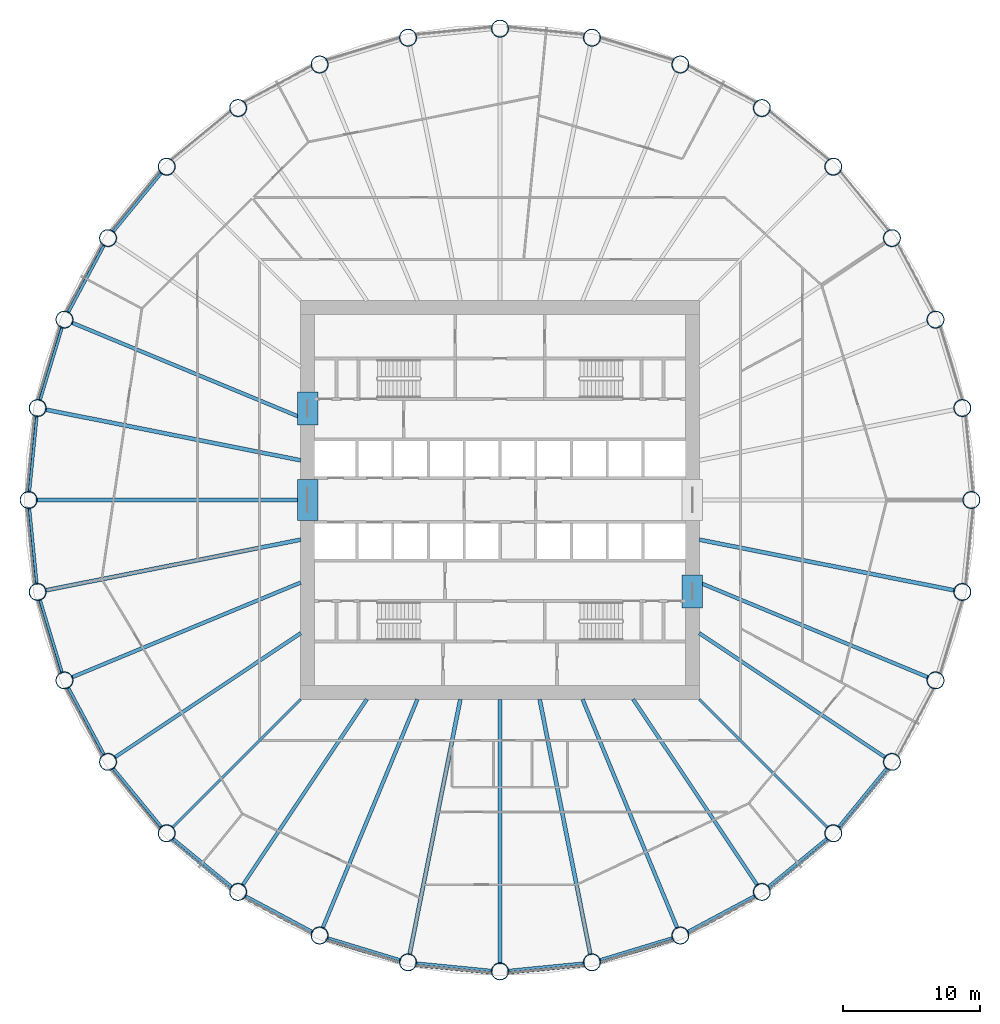
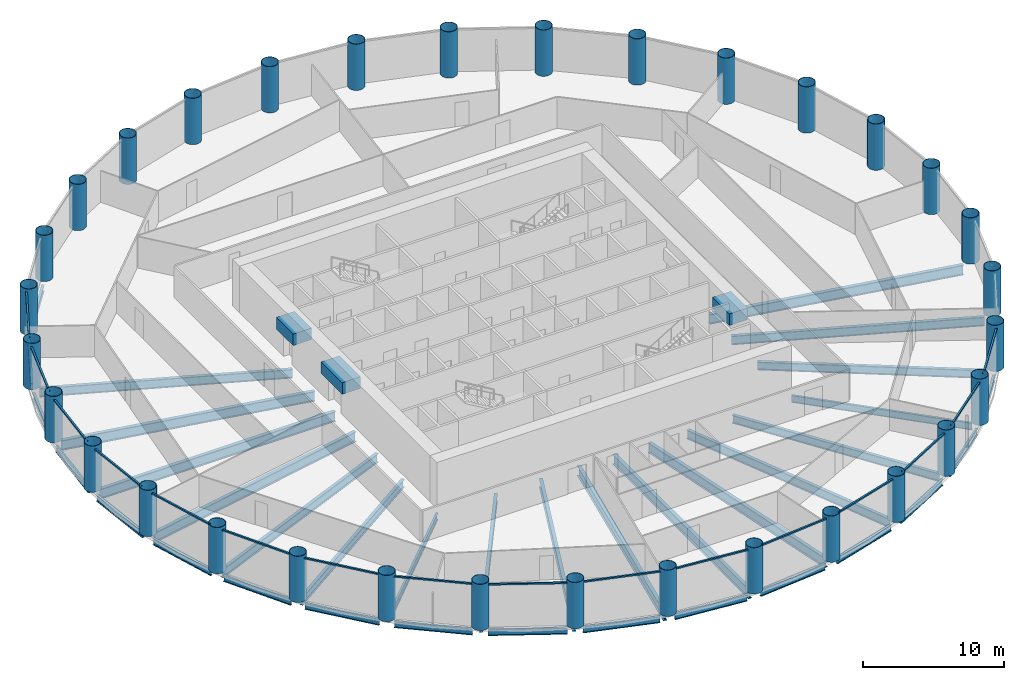
# One storey, part 1 of 8: 38 beams, 32 columns, 16 members, 16 elements without a shape of their own.
"""IFC4 building model written with IfcOpenShell, lengths in metres."""

from ifc_helpers import new_model, si_unit, direction, frame, origin, origin_2d, place, context, subcontext, project, spatial, rectangle, hollow_circle, i_section, extrude, material, material_profile, profile_set, type_object, element, aggregate, save


model = new_model("IFC4")

# Units and contexts
model_context = context("Model", 3, precision=1e-05, world=origin(), true_north=direction((0.0, 1.0)))
body_context = subcontext(model_context, "Body", "Model", "MODEL_VIEW")
ifc_project = project(units=[si_unit("LENGTHUNIT", "METRE"), si_unit("AREAUNIT", "SQUARE_METRE"), si_unit("VOLUMEUNIT", "CUBIC_METRE"), si_unit("PLANEANGLEUNIT", "RADIAN"), si_unit("MASSUNIT", "GRAM", prefix="KILO")], contexts=[model_context])

# Site, building, storey
site_placement = place(None, origin())
site = spatial("IfcSite", under=ifc_project, at=site_placement, CompositionType="ELEMENT")
building_placement = place(site_placement, origin())
building = spatial("IfcBuilding", under=site, at=building_placement, Name="Corvane Civic Tower", CompositionType="ELEMENT")
storey_placement = place(building_placement, frame((0.0, 0.0, 126.5)))
storey = spatial("IfcBuildingStorey", under=building, at=storey_placement, Name="L29", CompositionType="ELEMENT", Elevation=126.5)

# Columns
ifc_material_1 = material(Name="Steel ASTM A572 Gr 50", Category="steel")
ifc_material_profile_1 = material_profile(ifc_material_1, hollow_circle(Radius=0.625, WallThickness=0.035888671875, at=origin_2d()), Name="CHS1250X36")
ifc_profile_set_1 = profile_set([ifc_material_profile_1], Name="Steel ASTM A572 Gr 50")
column_type = type_object("IfcColumnType", Name="COMPOSITE COLUMN CHS1250X36", PredefinedType="COLUMN", material=ifc_profile_set_1)
for number, where, z_axis, x_axis, name in (
    (1, (0.0, 34.300048828125, 0.0), (0.0, 0.0, 1.0), (1.0, 0.0, 0.0), "COL-L29-B01"),
    (2, (6.691650390625, 33.640869140625, 0.0), (0.0, 0.0, 1.0), (1.0, 0.0, 0.0), "COL-L29-B02"),
    (3, (13.1259765625, 31.68896484375, 0.0), (0.0, 0.0, 1.0), (1.0, 0.0, 0.0), "COL-L29-B03"),
    (4, (19.05615234375, 28.519287109375, 0.0), (0.0, 0.0, 1.0), (1.0, 0.0, 0.0), "COL-L29-B04"),
    (5, (24.253662109375, 24.253662109375, 0.0), (0.0, 0.0, 1.0), (1.0, 0.0, 0.0), "COL-L29-B05"),
    (6, (28.519287109375, 19.05615234375, 0.0), (0.0, 0.0, 1.0), (1.0, 0.0, 0.0), "COL-L29-B06"),
    (7, (31.68896484375, 13.1259765625, 0.0), (0.0, 0.0, 1.0), (1.0, 0.0, 0.0), "COL-L29-B07"),
    (8, (33.640869140625, 6.691650390625, 0.0), (0.0, 0.0, 1.0), (1.0, 0.0, 0.0), "COL-L29-B08"),
    (9, (34.300048828125, 0.0, 0.0), (0.0, 0.0, 1.0), (1.0, 0.0, 0.0), "COL-L29-B09"),
    (10, (33.640869140625, -6.691650390625, 0.0), (0.0, 0.0, 1.0), (1.0, 0.0, 0.0), "COL-L29-B10"),
    (11, (31.68896484375, -13.1259765625, 0.0), (0.0, 0.0, 1.0), (1.0, 0.0, 0.0), "COL-L29-B11"),
    (12, (28.519287109375, -19.05615234375, 0.0), (0.0, 0.0, 1.0), (1.0, 0.0, 0.0), "COL-L29-B12"),
    (13, (24.253662109375, -24.253662109375, 0.0), (0.0, 0.0, 1.0), (1.0, 0.0, 0.0), "COL-L29-B13"),
    (14, (19.05615234375, -28.519287109375, 0.0), (0.0, 0.0, 1.0), (1.0, 0.0, 0.0), "COL-L29-B14"),
    (15, (13.1259765625, -31.68896484375, 0.0), (0.0, 0.0, 1.0), (1.0, 0.0, 0.0), "COL-L29-B15"),
    (16, (6.691650390625, -33.640869140625, 0.0), (0.0, 0.0, 1.0), (1.0, 0.0, 0.0), "COL-L29-B16"),
    (17, (0.0, -34.300048828125, 0.0), (0.0, 0.0, 1.0), (1.0, 0.0, 0.0), "COL-L29-B17"),
    (18, (-6.691650390625, -33.640869140625, 0.0), (0.0, 0.0, 1.0), (1.0, 0.0, 0.0), "COL-L29-B18"),
    (19, (-13.1259765625, -31.68896484375, 0.0), (0.0, 0.0, 1.0), (1.0, 0.0, 0.0), "COL-L29-B19"),
    (20, (-19.05615234375, -28.519287109375, 0.0), (0.0, 0.0, 1.0), (1.0, 0.0, 0.0), "COL-L29-B20"),
    (21, (-24.253662109375, -24.253662109375, 0.0), (0.0, 0.0, 1.0), (1.0, 0.0, 0.0), "COL-L29-B21"),
    (22, (-28.519287109375, -19.05615234375, 0.0), (0.0, 0.0, 1.0), (1.0, 0.0, 0.0), "COL-L29-B22"),
    (23, (-31.68896484375, -13.1259765625, 0.0), (0.0, 0.0, 1.0), (1.0, 0.0, 0.0), "COL-L29-B23"),
    (24, (-33.640869140625, -6.691650390625, 0.0), (0.0, 0.0, 1.0), (1.0, 0.0, 0.0), "COL-L29-B24"),
    (25, (-34.300048828125, 0.0, 0.0), (0.0, 0.0, 1.0), (1.0, 0.0, 0.0), "COL-L29-B25"),
    (26, (-33.640869140625, 6.691650390625, 0.0), (0.0, 0.0, 1.0), (1.0, 0.0, 0.0), "COL-L29-B26"),
    (27, (-31.68896484375, 13.1259765625, 0.0), (0.0, 0.0, 1.0), (1.0, 0.0, 0.0), "COL-L29-B27"),
    (28, (-28.519287109375, 19.05615234375, 0.0), (0.0, 0.0, 1.0), (1.0, 0.0, 0.0), "COL-L29-B28"),
    (29, (-24.253662109375, 24.253662109375, 0.0), (0.0, 0.0, 1.0), (1.0, 0.0, 0.0), "COL-L29-B29"),
    (30, (-19.05615234375, 28.519287109375, 0.0), (0.0, 0.0, 1.0), (1.0, 0.0, 0.0), "COL-L29-B30"),
    (31, (-13.1259765625, 31.68896484375, 0.0), (0.0, 0.0, 1.0), (1.0, 0.0, 0.0), "COL-L29-B31"),
    (32, (-6.691650390625, 33.640869140625, 0.0), (0.0, 0.0, 1.0), (1.0, 0.0, 0.0), "COL-L29-B32"),
):
    element("IfcColumn", number, at=place(storey_placement, frame(where, z_axis=z_axis, x_axis=x_axis)), inside=storey, type_object=column_type, Name=name, PredefinedType="COLUMN", context=body_context, shape_type="SweptSolid", body=[
        extrude(hollow_circle(Radius=0.625, WallThickness=0.035888671875, at=origin_2d()), origin(), (0.0, 0.0, 1.0), 4.0),
    ])

# Beams
ifc_material_2 = material(Name="Concrete C70/85", Category="concrete")
ifc_material_profile_2 = material_profile(ifc_material_2, rectangle(XDim=1.5, YDim=1.0, at=origin_2d()), Name="COUPLING BEAM 1500X1000")
ifc_profile_set_2 = profile_set([ifc_material_profile_2], Name="Concrete C70/85")
beam_type_1 = type_object("IfcBeamType", Name="COUPLING BEAM COUPLING BEAM 1500X1000", PredefinedType="BEAM", material=ifc_profile_set_2)
beam_1_placement = place(storey_placement, frame((-14.0, -1.5, 2.60009765625), z_axis=(0.0, 1.0, 0.0), x_axis=(-1.0, 0.0, 0.0)))
element("IfcBeam", 33, at=beam_1_placement, inside=storey, type_object=beam_type_1, Name="BM-L29-cpl-CW-LW", PredefinedType="BEAM", context=body_context, shape_type="SweptSolid", body=[
    extrude(rectangle(XDim=1.5, YDim=1.0, at=origin_2d()), origin(), (0.0, 0.0, 1.0), 3.0),
])
for number, where, z_axis, x_axis, name in (
    (34, (-14.0, 5.449951171875, 2.60009765625), (0.0, 1.0, 0.0), (-1.0, 0.0, 0.0), "BM-L29-cpl-CW-WN"),
    (35, (14.0, -7.85009765625, 2.60009765625), (0.0, 1.0, 0.0), (-1.0, 0.0, 0.0), "BM-L29-cpl-CW-ES"),
):
    element("IfcBeam", number, at=place(storey_placement, frame(where, z_axis=z_axis, x_axis=x_axis)), inside=storey, type_object=beam_type_1, Name=name, PredefinedType="BEAM", context=body_context, shape_type="SweptSolid", body=[
        extrude(rectangle(XDim=1.5, YDim=1.0, at=origin_2d()), origin(), (0.0, 0.0, 1.0), 2.400146484375),
    ])
ifc_material_3 = material(Name="Steel ASTM A992 Gr 50", Category="steel")
ifc_material_profile_3 = material_profile(ifc_material_3, i_section(OverallWidth=0.209228515625, OverallDepth=0.533447265625, WebThickness=0.01025390625, FlangeThickness=0.015625, at=origin_2d()), Name="W21X62")
ifc_profile_set_3 = profile_set([ifc_material_profile_3], Name="Steel ASTM A992 Gr 50")
beam_type_2 = type_object("IfcBeamType", Name="EDGE BEAM W21X62", PredefinedType="BEAM", material=ifc_profile_set_3)
for number, where, z_axis, x_axis, name in (
    (36, (28.17041015625, -19.481201171875, -0.566650390625), (-0.634397765782, -0.773006775372, 0.0), (0.773006775372, -0.634397765782, 0.0), "BM-L29-E12"),
    (37, (23.82861328125, -24.6025390625, -0.566650390625), (-0.773006775372, -0.634397765782, 0.0), (0.634397765782, -0.773006775372, 0.0), "BM-L29-E13"),
    (38, (18.571044921875, -28.778564453125, -0.566650390625), (-0.88192357867, -0.471392407008, 0.0), (0.471392407008, -0.88192357867, 0.0), "BM-L29-E14"),
):
    element("IfcBeam", number, at=place(storey_placement, frame(where, z_axis=z_axis, x_axis=x_axis)), inside=storey, type_object=beam_type_2, Name=name, PredefinedType="BEAM", context=body_context, shape_type="SweptSolid", body=[
        extrude(i_section(OverallWidth=0.209228515625, OverallDepth=0.533447265625, WebThickness=0.01025390625, FlangeThickness=0.015625, at=origin_2d()), origin(), (0.0, 0.0, 1.0), 5.6240234375),
    ])
beam_2_placement = place(storey_placement, frame((12.599609375, -31.8486328125, -0.566650390625), z_axis=(-0.956936367498, -0.290297758448, 0.0), x_axis=(0.290297758448, -0.956936367498, 0.0)))
element("IfcBeam", 39, at=beam_2_placement, inside=storey, type_object=beam_type_2, Name="BM-L29-E15", PredefinedType="BEAM", context=body_context, shape_type="SweptSolid", body=[
    extrude(i_section(OverallWidth=0.209228515625, OverallDepth=0.533447265625, WebThickness=0.01025390625, FlangeThickness=0.015625, at=origin_2d()), origin(), (0.0, 0.0, 1.0), 5.623779296875),
])
for number, where, z_axis, x_axis, name in (
    (40, (6.144287109375, -33.69482421875, -0.566650390625), (-0.995184368522, -0.098020776625, 0.0), (0.098020776625, -0.995184368522, 0.0), "BM-L29-E16"),
    (41, (-0.54736328125, -34.24609375, -0.566650390625), (-0.995184368522, 0.098020776625, 0.0), (-0.098020776625, -0.995184368522, 0.0), "BM-L29-E17"),
):
    element("IfcBeam", number, at=place(storey_placement, frame(where, z_axis=z_axis, x_axis=x_axis)), inside=storey, type_object=beam_type_2, Name=name, PredefinedType="BEAM", context=body_context, shape_type="SweptSolid", body=[
        extrude(i_section(OverallWidth=0.209228515625, OverallDepth=0.533447265625, WebThickness=0.01025390625, FlangeThickness=0.015625, at=origin_2d()), origin(), (0.0, 0.0, 1.0), 5.6240234375),
    ])
beam_3_placement = place(storey_placement, frame((-7.218017578125, -33.481201171875, -0.566650390625), z_axis=(-0.956936367498, 0.290297758448, 0.0), x_axis=(-0.290297758448, -0.956936367498, 0.0)))
element("IfcBeam", 42, at=beam_3_placement, inside=storey, type_object=beam_type_2, Name="BM-L29-E18", PredefinedType="BEAM", context=body_context, shape_type="SweptSolid", body=[
    extrude(i_section(OverallWidth=0.209228515625, OverallDepth=0.533447265625, WebThickness=0.01025390625, FlangeThickness=0.015625, at=origin_2d()), origin(), (0.0, 0.0, 1.0), 5.623779296875),
])
for number, where, z_axis, x_axis, name in (
    (43, (-13.611083984375, -31.4296875, -0.566650390625), (-0.88192357867, 0.471392407008, 0.0), (-0.471392407008, -0.88192357867, 0.0), "BM-L29-E19"),
    (44, (-19.481201171875, -28.17041015625, -0.566650390625), (-0.773006775372, 0.634397765782, 0.0), (-0.634397765782, -0.773006775372, 0.0), "BM-L29-E20"),
    (45, (-24.6025390625, -23.82861328125, -0.566650390625), (-0.634397765782, 0.773006775372, 0.0), (-0.773006775372, -0.634397765782, 0.0), "BM-L29-E21"),
    (46, (-28.778564453125, -18.571044921875, -0.566650390625), (-0.471392407008, 0.88192357867, 0.0), (-0.88192357867, -0.471392407008, 0.0), "BM-L29-E22"),
):
    element("IfcBeam", number, at=place(storey_placement, frame(where, z_axis=z_axis, x_axis=x_axis)), inside=storey, type_object=beam_type_2, Name=name, PredefinedType="BEAM", context=body_context, shape_type="SweptSolid", body=[
        extrude(i_section(OverallWidth=0.209228515625, OverallDepth=0.533447265625, WebThickness=0.01025390625, FlangeThickness=0.015625, at=origin_2d()), origin(), (0.0, 0.0, 1.0), 5.6240234375),
    ])
beam_4_placement = place(storey_placement, frame((-31.8486328125, -12.599609375, -0.566650390625), z_axis=(-0.290297758448, 0.956936367498, 0.0), x_axis=(-0.956936367498, -0.290297758448, 0.0)))
element("IfcBeam", 47, at=beam_4_placement, inside=storey, type_object=beam_type_2, Name="BM-L29-E23", PredefinedType="BEAM", context=body_context, shape_type="SweptSolid", body=[
    extrude(i_section(OverallWidth=0.209228515625, OverallDepth=0.533447265625, WebThickness=0.01025390625, FlangeThickness=0.015625, at=origin_2d()), origin(), (0.0, 0.0, 1.0), 5.623779296875),
])
for number, where, z_axis, x_axis, name in (
    (48, (-33.69482421875, -6.144287109375, -0.566650390625), (-0.098020776625, 0.995184368522, 0.0), (-0.995184368522, -0.098020776625, 0.0), "BM-L29-E24"),
    (49, (-34.24609375, 0.54736328125, -0.566650390625), (0.098020776625, 0.995184368522, 0.0), (-0.995184368522, 0.098020776625, 0.0), "BM-L29-E25"),
):
    element("IfcBeam", number, at=place(storey_placement, frame(where, z_axis=z_axis, x_axis=x_axis)), inside=storey, type_object=beam_type_2, Name=name, PredefinedType="BEAM", context=body_context, shape_type="SweptSolid", body=[
        extrude(i_section(OverallWidth=0.209228515625, OverallDepth=0.533447265625, WebThickness=0.01025390625, FlangeThickness=0.015625, at=origin_2d()), origin(), (0.0, 0.0, 1.0), 5.6240234375),
    ])
beam_5_placement = place(storey_placement, frame((-33.481201171875, 7.218017578125, -0.566650390625), z_axis=(0.290297758448, 0.956936367498, 0.0), x_axis=(-0.956936367498, 0.290297758448, 0.0)))
element("IfcBeam", 50, at=beam_5_placement, inside=storey, type_object=beam_type_2, Name="BM-L29-E26", PredefinedType="BEAM", context=body_context, shape_type="SweptSolid", body=[
    extrude(i_section(OverallWidth=0.209228515625, OverallDepth=0.533447265625, WebThickness=0.01025390625, FlangeThickness=0.015625, at=origin_2d()), origin(), (0.0, 0.0, 1.0), 5.623779296875),
])
for number, where, z_axis, x_axis, name in (
    (51, (-31.4296875, 13.611083984375, -0.566650390625), (0.471392407008, 0.88192357867, 0.0), (-0.88192357867, 0.471392407008, 0.0), "BM-L29-E27"),
    (52, (-28.17041015625, 19.481201171875, -0.566650390625), (0.634397765782, 0.773006775372, 0.0), (-0.773006775372, 0.634397765782, 0.0), "BM-L29-E28"),
):
    element("IfcBeam", number, at=place(storey_placement, frame(where, z_axis=z_axis, x_axis=x_axis)), inside=storey, type_object=beam_type_2, Name=name, PredefinedType="BEAM", context=body_context, shape_type="SweptSolid", body=[
        extrude(i_section(OverallWidth=0.209228515625, OverallDepth=0.533447265625, WebThickness=0.01025390625, FlangeThickness=0.015625, at=origin_2d()), origin(), (0.0, 0.0, 1.0), 5.6240234375),
    ])
ifc_material_4 = material(Name="Steel ASTM A992 Gr 50", Category="steel")
ifc_material_profile_4 = material_profile(ifc_material_4, i_section(OverallWidth=0.177978515625, OverallDepth=0.599365234375, WebThickness=0.010009765625, FlangeThickness=0.012939453125, at=origin_2d()), Name="W24X55")
ifc_profile_set_4 = profile_set([ifc_material_profile_4], Name="Steel ASTM A992 Gr 50")
beam_type_3 = type_object("IfcBeamType", Name="FLOOR GIRDER W24X55", PredefinedType="BEAM", material=ifc_profile_set_4)
for number, where, z_axis, x_axis, name in (
    (53, (14.5, -14.5, -0.599609375), (0.707106781187, -0.707106781187, 0.0), (0.707106781187, 0.707106781187, 0.0), "BM-L29-G13"),
    (54, (-14.5, -14.5, -0.599609375), (-0.707106781187, -0.707106781187, 0.0), (0.707106781187, -0.707106781187, 0.0), "BM-L29-G21"),
):
    element("IfcBeam", number, at=place(storey_placement, frame(where, z_axis=z_axis, x_axis=x_axis)), inside=storey, type_object=beam_type_3, Name=name, PredefinedType="BEAM", context=body_context, shape_type="SweptSolid", body=[
        extrude(i_section(OverallWidth=0.177978515625, OverallDepth=0.599365234375, WebThickness=0.010009765625, FlangeThickness=0.012939453125, at=origin_2d()), origin(), (0.0, 0.0, 1.0), 13.24365234375),
    ])
ifc_material_5 = material(Name="Steel ASTM A992 Gr 50", Category="steel")
ifc_material_profile_5 = material_profile(ifc_material_5, i_section(OverallWidth=0.256591796875, OverallDepth=0.693359375, WebThickness=0.014404296875, FlangeThickness=0.023681640625, at=origin_2d()), Name="W27X114")
ifc_profile_set_5 = profile_set([ifc_material_profile_5], Name="Steel ASTM A992 Gr 50")
beam_type_4 = type_object("IfcBeamType", Name="FLOOR GIRDER W27X114", PredefinedType="BEAM", material=ifc_profile_set_5)
for number, where, z_axis, x_axis, name in (
    (55, (14.5, -9.6884765625, -0.646728515625), (0.83146493365, -0.555577235054, 0.0), (0.555577235054, 0.83146493365, 0.0), "BM-L29-G12"),
    (56, (9.6884765625, -14.5, -0.646728515625), (0.555577235054, -0.83146493365, 0.0), (0.83146493365, 0.555577235054, 0.0), "BM-L29-G14"),
    (57, (-9.6884765625, -14.5, -0.646728515625), (-0.555577235054, -0.83146493365, 0.0), (0.83146493365, -0.555577235054, 0.0), "BM-L29-G20"),
    (58, (-14.5, -9.6884765625, -0.646728515625), (-0.83146493365, -0.555577235054, 0.0), (0.555577235054, -0.83146493365, 0.0), "BM-L29-G22"),
):
    element("IfcBeam", number, at=place(storey_placement, frame(where, z_axis=z_axis, x_axis=x_axis)), inside=storey, type_object=beam_type_4, Name=name, PredefinedType="BEAM", context=body_context, shape_type="SweptSolid", body=[
        extrude(i_section(OverallWidth=0.256591796875, OverallDepth=0.693359375, WebThickness=0.014404296875, FlangeThickness=0.023681640625, at=origin_2d()), origin(), (0.0, 0.0, 1.0), 16.31103515625),
    ])
ifc_material_6 = material(Name="Steel ASTM A992 Gr 50", Category="steel")
ifc_material_profile_6 = material_profile(ifc_material_6, i_section(OverallWidth=0.2666015625, OverallDepth=0.7568359375, WebThickness=0.013916015625, FlangeThickness=0.019287109375, at=origin_2d()), Name="W30X108")
ifc_profile_set_6 = profile_set([ifc_material_profile_6], Name="Steel ASTM A992 Gr 50")
beam_type_5 = type_object("IfcBeamType", Name="FLOOR GIRDER W30X108", PredefinedType="BEAM", material=ifc_profile_set_6)
for number, where, z_axis, x_axis, name in (
    (59, (14.5, -6.006103515625, -0.678466796875), (0.923880209691, -0.382681797504, 0.0), (0.382681797504, 0.923880209691, 0.0), "BM-L29-G11"),
    (60, (6.006103515625, -14.5, -0.678466796875), (0.382681797504, -0.923880209691, 0.0), (0.923880209691, 0.382681797504, 0.0), "BM-L29-G15"),
    (61, (-6.006103515625, -14.5, -0.678466796875), (-0.382681797504, -0.923880209691, 0.0), (0.923880209691, -0.382681797504, 0.0), "BM-L29-G19"),
    (62, (-14.5, -6.006103515625, -0.678466796875), (-0.923880209691, -0.382681797504, 0.0), (0.382681797504, -0.923880209691, 0.0), "BM-L29-G23"),
    (63, (-14.5, 6.006103515625, -0.678466796875), (-0.923880209691, 0.382681797504, 0.0), (-0.382681797504, -0.923880209691, 0.0), "BM-L29-G27"),
):
    element("IfcBeam", number, at=place(storey_placement, frame(where, z_axis=z_axis, x_axis=x_axis)), inside=storey, type_object=beam_type_5, Name=name, PredefinedType="BEAM", context=body_context, shape_type="SweptSolid", body=[
        extrude(i_section(OverallWidth=0.2666015625, OverallDepth=0.7568359375, WebThickness=0.013916015625, FlangeThickness=0.019287109375, at=origin_2d()), origin(), (0.0, 0.0, 1.0), 18.05517578125),
    ])
ifc_material_7 = material(Name="Steel ASTM A992 Gr 50", Category="steel")
ifc_material_profile_7 = material_profile(ifc_material_7, i_section(OverallWidth=0.2919921875, OverallDepth=0.8583984375, WebThickness=0.01708984375, FlangeThickness=0.031005859375, at=origin_2d()), Name="W33X169")
ifc_profile_set_7 = profile_set([ifc_material_profile_7], Name="Steel ASTM A992 Gr 50")
beam_type_6 = type_object("IfcBeamType", Name="FLOOR GIRDER W33X169", PredefinedType="BEAM", material=ifc_profile_set_7)
for number, where, z_axis, x_axis, name in (
    (64, (14.5, -2.88427734375, -0.729248046875), (0.9807865885, -0.195083745652, 0.0), (0.195083745652, 0.9807865885, 0.0), "BM-L29-G10"),
    (65, (2.88427734375, -14.5, -0.729248046875), (0.195083745652, -0.9807865885, 0.0), (0.9807865885, 0.195083745652, 0.0), "BM-L29-G16"),
):
    element("IfcBeam", number, at=place(storey_placement, frame(where, z_axis=z_axis, x_axis=x_axis)), inside=storey, type_object=beam_type_6, Name=name, PredefinedType="BEAM", context=body_context, shape_type="SweptSolid", body=[
        extrude(i_section(OverallWidth=0.2919921875, OverallDepth=0.8583984375, WebThickness=0.01708984375, FlangeThickness=0.031005859375, at=origin_2d()), origin(), (0.0, 0.0, 1.0), 18.966064453125),
    ])
beam_6_placement = place(storey_placement, frame((0.0, -14.5, -0.729248046875), z_axis=(0.0, -1.0, 0.0), x_axis=(1.0, 0.0, 0.0)))
element("IfcBeam", 66, at=beam_6_placement, inside=storey, type_object=beam_type_6, Name="BM-L29-G17", PredefinedType="BEAM", context=body_context, shape_type="SweptSolid", body=[
    extrude(i_section(OverallWidth=0.2919921875, OverallDepth=0.8583984375, WebThickness=0.01708984375, FlangeThickness=0.031005859375, at=origin_2d()), origin(), (0.0, 0.0, 1.0), 19.25),
])
for number, where, z_axis, x_axis, name in (
    (67, (-2.88427734375, -14.5, -0.729248046875), (-0.195083745652, -0.9807865885, 0.0), (0.9807865885, -0.195083745652, 0.0), "BM-L29-G18"),
    (68, (-14.5, -2.88427734375, -0.729248046875), (-0.9807865885, -0.195083745652, 0.0), (0.195083745652, -0.9807865885, 0.0), "BM-L29-G24"),
):
    element("IfcBeam", number, at=place(storey_placement, frame(where, z_axis=z_axis, x_axis=x_axis)), inside=storey, type_object=beam_type_6, Name=name, PredefinedType="BEAM", context=body_context, shape_type="SweptSolid", body=[
        extrude(i_section(OverallWidth=0.2919921875, OverallDepth=0.8583984375, WebThickness=0.01708984375, FlangeThickness=0.031005859375, at=origin_2d()), origin(), (0.0, 0.0, 1.0), 18.966064453125),
    ])
beam_7_placement = place(storey_placement, frame((-14.5, 0.0, -0.729248046875), z_axis=(-1.0, 0.0, 0.0), x_axis=(0.0, -1.0, 0.0)))
element("IfcBeam", 69, at=beam_7_placement, inside=storey, type_object=beam_type_6, Name="BM-L29-G25", PredefinedType="BEAM", context=body_context, shape_type="SweptSolid", body=[
    extrude(i_section(OverallWidth=0.2919921875, OverallDepth=0.8583984375, WebThickness=0.01708984375, FlangeThickness=0.031005859375, at=origin_2d()), origin(), (0.0, 0.0, 1.0), 19.25),
])
beam_8_placement = place(storey_placement, frame((-14.5, 2.88427734375, -0.729248046875), z_axis=(-0.9807865885, 0.195083745652, 0.0), x_axis=(-0.195083745652, -0.9807865885, 0.0)))
element("IfcBeam", 70, at=beam_8_placement, inside=storey, type_object=beam_type_6, Name="BM-L29-G26", PredefinedType="BEAM", context=body_context, shape_type="SweptSolid", body=[
    extrude(i_section(OverallWidth=0.2919921875, OverallDepth=0.8583984375, WebThickness=0.01708984375, FlangeThickness=0.031005859375, at=origin_2d()), origin(), (0.0, 0.0, 1.0), 18.966064453125),
])

# Curtain wall, member
ifc_material_8 = material(Name="Anodised aluminium bronze", Category="aluminium")
curtain_wall_type = type_object("IfcCurtainWallType", Name="TOWER CW-T1 STICK CURTAIN WALL", PredefinedType="NOTDEFINED", material=ifc_material_8)
curtain_wall_1_placement = place(storey_placement, origin())
curtain_wall_1 = element("IfcCurtainWall", 71, at=curtain_wall_1_placement, inside=storey, type_object=curtain_wall_type, Name="Curtain wall CW-T1 L29 bay 12", PredefinedType="NOTDEFINED")
ifc_material_9 = material(Name="Anodised aluminium bronze", Category="aluminium")
ifc_material_profile_8 = material_profile(ifc_material_9, rectangle(XDim=0.139892578125, YDim=0.1201171875, at=origin_2d()), Name="TOWER CW-T1 TRANSOM 140x120")
ifc_profile_set_8 = profile_set([ifc_material_profile_8], Name="Anodised aluminium bronze")
member_type = type_object("IfcMemberType", Name="TOWER CW-T1 TRANSOM 140x120", PredefinedType="USERDEFINED", material=ifc_profile_set_8)
member_1_placement = place(storey_placement, frame((28.297119140625, -19.609619140625, 3.68994140625), z_axis=(-0.634410369295, -0.772996431642, 0.0), x_axis=(0.772996431642, -0.634410369295, 0.0)))
member_1 = element("IfcMember", 72, at=member_1_placement, type_object=member_type, Name="Transom CW-T1 L29 12.1", ObjectType="TRANSOM", PredefinedType="USERDEFINED", context=body_context, shape_type="SweptSolid", body=[
    extrude(rectangle(XDim=0.139892578125, YDim=0.1201171875, at=origin_2d()), origin(), (0.0, 0.0, 1.0), 5.586181640625),
])
aggregate(curtain_wall_1, [member_1])

curtain_wall_2_placement = place(storey_placement, origin())
curtain_wall_2 = element("IfcCurtainWall", 73, at=curtain_wall_2_placement, inside=storey, type_object=curtain_wall_type, Name="Curtain wall CW-T1 L29 bay 13", PredefinedType="NOTDEFINED")
member_2_placement = place(storey_placement, frame((23.927734375, -24.753173828125, 3.68994140625), z_axis=(-0.772996431642, -0.634410369295, 0.0), x_axis=(0.634410369295, -0.772996431642, 0.0)))
member_2 = element("IfcMember", 74, at=member_2_placement, type_object=member_type, Name="Transom CW-T1 L29 13.1", ObjectType="TRANSOM", PredefinedType="USERDEFINED", context=body_context, shape_type="SweptSolid", body=[
    extrude(rectangle(XDim=0.139892578125, YDim=0.1201171875, at=origin_2d()), origin(), (0.0, 0.0, 1.0), 5.586181640625),
])
aggregate(curtain_wall_2, [member_2])

curtain_wall_3_placement = place(storey_placement, origin())
curtain_wall_3 = element("IfcCurtainWall", 75, at=curtain_wall_3_placement, inside=storey, type_object=curtain_wall_type, Name="Curtain wall CW-T1 L29 bay 14", PredefinedType="NOTDEFINED")
member_3_placement = place(storey_placement, frame((18.63916015625, -28.945556640625, 3.68994140625), z_axis=(-0.881920705407, -0.47139778253, 0.0), x_axis=(0.47139778253, -0.881920705407, 0.0)))
member_3 = element("IfcMember", 76, at=member_3_placement, type_object=member_type, Name="Transom CW-T1 L29 14.1", ObjectType="TRANSOM", PredefinedType="USERDEFINED", context=body_context, shape_type="SweptSolid", body=[
    extrude(rectangle(XDim=0.139892578125, YDim=0.1201171875, at=origin_2d()), origin(), (0.0, 0.0, 1.0), 5.586669921875),
])
aggregate(curtain_wall_3, [member_3])

curtain_wall_4_placement = place(storey_placement, origin())
curtain_wall_4 = element("IfcCurtainWall", 77, at=curtain_wall_4_placement, inside=storey, type_object=curtain_wall_type, Name="Curtain wall CW-T1 L29 bay 15", PredefinedType="NOTDEFINED")
member_4_placement = place(storey_placement, frame((12.6337890625, -32.025634765625, 3.68994140625), z_axis=(-0.956944977029, -0.290269376509, 0.0), x_axis=(0.290269376509, -0.956944977029, 0.0)))
member_4 = element("IfcMember", 78, at=member_4_placement, type_object=member_type, Name="Transom CW-T1 L29 15.1", ObjectType="TRANSOM", PredefinedType="USERDEFINED", context=body_context, shape_type="SweptSolid", body=[
    extrude(rectangle(XDim=0.139892578125, YDim=0.1201171875, at=origin_2d()), origin(), (0.0, 0.0, 1.0), 5.58642578125),
])
aggregate(curtain_wall_4, [member_4])

curtain_wall_5_placement = place(storey_placement, origin())
curtain_wall_5 = element("IfcCurtainWall", 79, at=curtain_wall_5_placement, inside=storey, type_object=curtain_wall_type, Name="Curtain wall CW-T1 L29 bay 16", PredefinedType="NOTDEFINED")
member_5_placement = place(storey_placement, frame((6.14306640625, -33.874755859375, 3.68994140625), z_axis=(-0.995179807033, -0.098067077419, 0.0), x_axis=(0.098067077419, -0.995179807033, 0.0)))
member_5 = element("IfcMember", 80, at=member_5_placement, type_object=member_type, Name="Transom CW-T1 L29 16.1", ObjectType="TRANSOM", PredefinedType="USERDEFINED", context=body_context, shape_type="SweptSolid", body=[
    extrude(rectangle(XDim=0.139892578125, YDim=0.1201171875, at=origin_2d()), origin(), (0.0, 0.0, 1.0), 5.58642578125),
])
aggregate(curtain_wall_5, [member_5])

curtain_wall_6_placement = place(storey_placement, origin())
curtain_wall_6 = element("IfcCurtainWall", 81, at=curtain_wall_6_placement, inside=storey, type_object=curtain_wall_type, Name="Curtain wall CW-T1 L29 bay 17", PredefinedType="NOTDEFINED")
member_6_placement = place(storey_placement, frame((-0.58349609375, -34.422607421875, 3.68994140625), z_axis=(-0.995179807033, 0.098067077419, 0.0), x_axis=(-0.098067077419, -0.995179807033, 0.0)))
member_6 = element("IfcMember", 82, at=member_6_placement, type_object=member_type, Name="Transom CW-T1 L29 17.1", ObjectType="TRANSOM", PredefinedType="USERDEFINED", context=body_context, shape_type="SweptSolid", body=[
    extrude(rectangle(XDim=0.139892578125, YDim=0.1201171875, at=origin_2d()), origin(), (0.0, 0.0, 1.0), 5.58642578125),
])
aggregate(curtain_wall_6, [member_6])

curtain_wall_7_placement = place(storey_placement, origin())
curtain_wall_7 = element("IfcCurtainWall", 83, at=curtain_wall_7_placement, inside=storey, type_object=curtain_wall_type, Name="Curtain wall CW-T1 L29 bay 18", PredefinedType="NOTDEFINED")
member_7_placement = place(storey_placement, frame((-7.287841796875, -33.647216796875, 3.68994140625), z_axis=(-0.956944977029, 0.290269376509, 0.0), x_axis=(-0.290269376509, -0.956944977029, 0.0)))
member_7 = element("IfcMember", 84, at=member_7_placement, type_object=member_type, Name="Transom CW-T1 L29 18.1", ObjectType="TRANSOM", PredefinedType="USERDEFINED", context=body_context, shape_type="SweptSolid", body=[
    extrude(rectangle(XDim=0.139892578125, YDim=0.1201171875, at=origin_2d()), origin(), (0.0, 0.0, 1.0), 5.58642578125),
])
aggregate(curtain_wall_7, [member_7])

curtain_wall_8_placement = place(storey_placement, origin())
curtain_wall_8 = element("IfcCurtainWall", 85, at=curtain_wall_8_placement, inside=storey, type_object=curtain_wall_type, Name="Curtain wall CW-T1 L29 bay 19", PredefinedType="NOTDEFINED")
member_8_placement = place(storey_placement, frame((-13.712158203125, -31.5791015625, 3.68994140625), z_axis=(-0.881920705407, 0.47139778253, 0.0), x_axis=(-0.47139778253, -0.881920705407, 0.0)))
member_8 = element("IfcMember", 86, at=member_8_placement, type_object=member_type, Name="Transom CW-T1 L29 19.1", ObjectType="TRANSOM", PredefinedType="USERDEFINED", context=body_context, shape_type="SweptSolid", body=[
    extrude(rectangle(XDim=0.139892578125, YDim=0.1201171875, at=origin_2d()), origin(), (0.0, 0.0, 1.0), 5.586669921875),
])
aggregate(curtain_wall_8, [member_8])

curtain_wall_9_placement = place(storey_placement, origin())
curtain_wall_9 = element("IfcCurtainWall", 87, at=curtain_wall_9_placement, inside=storey, type_object=curtain_wall_type, Name="Curtain wall CW-T1 L29 bay 20", PredefinedType="NOTDEFINED")
member_9_placement = place(storey_placement, frame((-19.609619140625, -28.297119140625, 3.68994140625), z_axis=(-0.772996431642, 0.634410369295, 0.0), x_axis=(-0.634410369295, -0.772996431642, 0.0)))
member_9 = element("IfcMember", 88, at=member_9_placement, type_object=member_type, Name="Transom CW-T1 L29 20.1", ObjectType="TRANSOM", PredefinedType="USERDEFINED", context=body_context, shape_type="SweptSolid", body=[
    extrude(rectangle(XDim=0.139892578125, YDim=0.1201171875, at=origin_2d()), origin(), (0.0, 0.0, 1.0), 5.586181640625),
])
aggregate(curtain_wall_9, [member_9])

curtain_wall_10_placement = place(storey_placement, origin())
curtain_wall_10 = element("IfcCurtainWall", 89, at=curtain_wall_10_placement, inside=storey, type_object=curtain_wall_type, Name="Curtain wall CW-T1 L29 bay 21", PredefinedType="NOTDEFINED")
member_10_placement = place(storey_placement, frame((-24.753173828125, -23.927734375, 3.68994140625), z_axis=(-0.634410369295, 0.772996431642, 0.0), x_axis=(-0.772996431642, -0.634410369295, 0.0)))
member_10 = element("IfcMember", 90, at=member_10_placement, type_object=member_type, Name="Transom CW-T1 L29 21.1", ObjectType="TRANSOM", PredefinedType="USERDEFINED", context=body_context, shape_type="SweptSolid", body=[
    extrude(rectangle(XDim=0.139892578125, YDim=0.1201171875, at=origin_2d()), origin(), (0.0, 0.0, 1.0), 5.586181640625),
])
aggregate(curtain_wall_10, [member_10])

curtain_wall_11_placement = place(storey_placement, origin())
curtain_wall_11 = element("IfcCurtainWall", 91, at=curtain_wall_11_placement, inside=storey, type_object=curtain_wall_type, Name="Curtain wall CW-T1 L29 bay 22", PredefinedType="NOTDEFINED")
member_11_placement = place(storey_placement, frame((-28.945556640625, -18.63916015625, 3.68994140625), z_axis=(-0.47139778253, 0.881920705407, 0.0), x_axis=(-0.881920705407, -0.47139778253, 0.0)))
member_11 = element("IfcMember", 92, at=member_11_placement, type_object=member_type, Name="Transom CW-T1 L29 22.1", ObjectType="TRANSOM", PredefinedType="USERDEFINED", context=body_context, shape_type="SweptSolid", body=[
    extrude(rectangle(XDim=0.139892578125, YDim=0.1201171875, at=origin_2d()), origin(), (0.0, 0.0, 1.0), 5.586669921875),
])
aggregate(curtain_wall_11, [member_11])

curtain_wall_12_placement = place(storey_placement, origin())
curtain_wall_12 = element("IfcCurtainWall", 93, at=curtain_wall_12_placement, inside=storey, type_object=curtain_wall_type, Name="Curtain wall CW-T1 L29 bay 23", PredefinedType="NOTDEFINED")
member_12_placement = place(storey_placement, frame((-32.025634765625, -12.6337890625, 3.68994140625), z_axis=(-0.290269376509, 0.956944977029, 0.0), x_axis=(-0.956944977029, -0.290269376509, 0.0)))
member_12 = element("IfcMember", 94, at=member_12_placement, type_object=member_type, Name="Transom CW-T1 L29 23.1", ObjectType="TRANSOM", PredefinedType="USERDEFINED", context=body_context, shape_type="SweptSolid", body=[
    extrude(rectangle(XDim=0.139892578125, YDim=0.1201171875, at=origin_2d()), origin(), (0.0, 0.0, 1.0), 5.58642578125),
])
aggregate(curtain_wall_12, [member_12])

curtain_wall_13_placement = place(storey_placement, origin())
curtain_wall_13 = element("IfcCurtainWall", 95, at=curtain_wall_13_placement, inside=storey, type_object=curtain_wall_type, Name="Curtain wall CW-T1 L29 bay 24", PredefinedType="NOTDEFINED")
member_13_placement = place(storey_placement, frame((-33.874755859375, -6.14306640625, 3.68994140625), z_axis=(-0.098067077419, 0.995179807033, 0.0), x_axis=(-0.995179807033, -0.098067077419, 0.0)))
member_13 = element("IfcMember", 96, at=member_13_placement, type_object=member_type, Name="Transom CW-T1 L29 24.1", ObjectType="TRANSOM", PredefinedType="USERDEFINED", context=body_context, shape_type="SweptSolid", body=[
    extrude(rectangle(XDim=0.139892578125, YDim=0.1201171875, at=origin_2d()), origin(), (0.0, 0.0, 1.0), 5.58642578125),
])
aggregate(curtain_wall_13, [member_13])

curtain_wall_14_placement = place(storey_placement, origin())
curtain_wall_14 = element("IfcCurtainWall", 97, at=curtain_wall_14_placement, inside=storey, type_object=curtain_wall_type, Name="Curtain wall CW-T1 L29 bay 25", PredefinedType="NOTDEFINED")
member_14_placement = place(storey_placement, frame((-34.422607421875, 0.58349609375, 3.68994140625), z_axis=(0.098067077419, 0.995179807033, 0.0), x_axis=(-0.995179807033, 0.098067077419, 0.0)))
member_14 = element("IfcMember", 98, at=member_14_placement, type_object=member_type, Name="Transom CW-T1 L29 25.1", ObjectType="TRANSOM", PredefinedType="USERDEFINED", context=body_context, shape_type="SweptSolid", body=[
    extrude(rectangle(XDim=0.139892578125, YDim=0.1201171875, at=origin_2d()), origin(), (0.0, 0.0, 1.0), 5.58642578125),
])
aggregate(curtain_wall_14, [member_14])

curtain_wall_15_placement = place(storey_placement, origin())
curtain_wall_15 = element("IfcCurtainWall", 99, at=curtain_wall_15_placement, inside=storey, type_object=curtain_wall_type, Name="Curtain wall CW-T1 L29 bay 26", PredefinedType="NOTDEFINED")
member_15_placement = place(storey_placement, frame((-33.647216796875, 7.287841796875, 3.68994140625), z_axis=(0.290269376509, 0.956944977029, 0.0), x_axis=(-0.956944977029, 0.290269376509, 0.0)))
member_15 = element("IfcMember", 100, at=member_15_placement, type_object=member_type, Name="Transom CW-T1 L29 26.1", ObjectType="TRANSOM", PredefinedType="USERDEFINED", context=body_context, shape_type="SweptSolid", body=[
    extrude(rectangle(XDim=0.139892578125, YDim=0.1201171875, at=origin_2d()), origin(), (0.0, 0.0, 1.0), 5.58642578125),
])
aggregate(curtain_wall_15, [member_15])

curtain_wall_16_placement = place(storey_placement, origin())
curtain_wall_16 = element("IfcCurtainWall", 101, at=curtain_wall_16_placement, inside=storey, type_object=curtain_wall_type, Name="Curtain wall CW-T1 L29 bay 27", PredefinedType="NOTDEFINED")
member_16_placement = place(storey_placement, frame((-31.5791015625, 13.712158203125, 3.68994140625), z_axis=(0.47139778253, 0.881920705407, 0.0), x_axis=(-0.881920705407, 0.47139778253, 0.0)))
member_16 = element("IfcMember", 102, at=member_16_placement, type_object=member_type, Name="Transom CW-T1 L29 27.1", ObjectType="TRANSOM", PredefinedType="USERDEFINED", context=body_context, shape_type="SweptSolid", body=[
    extrude(rectangle(XDim=0.139892578125, YDim=0.1201171875, at=origin_2d()), origin(), (0.0, 0.0, 1.0), 5.586669921875),
])
aggregate(curtain_wall_16, [member_16])

save(model, "model.ifc")
